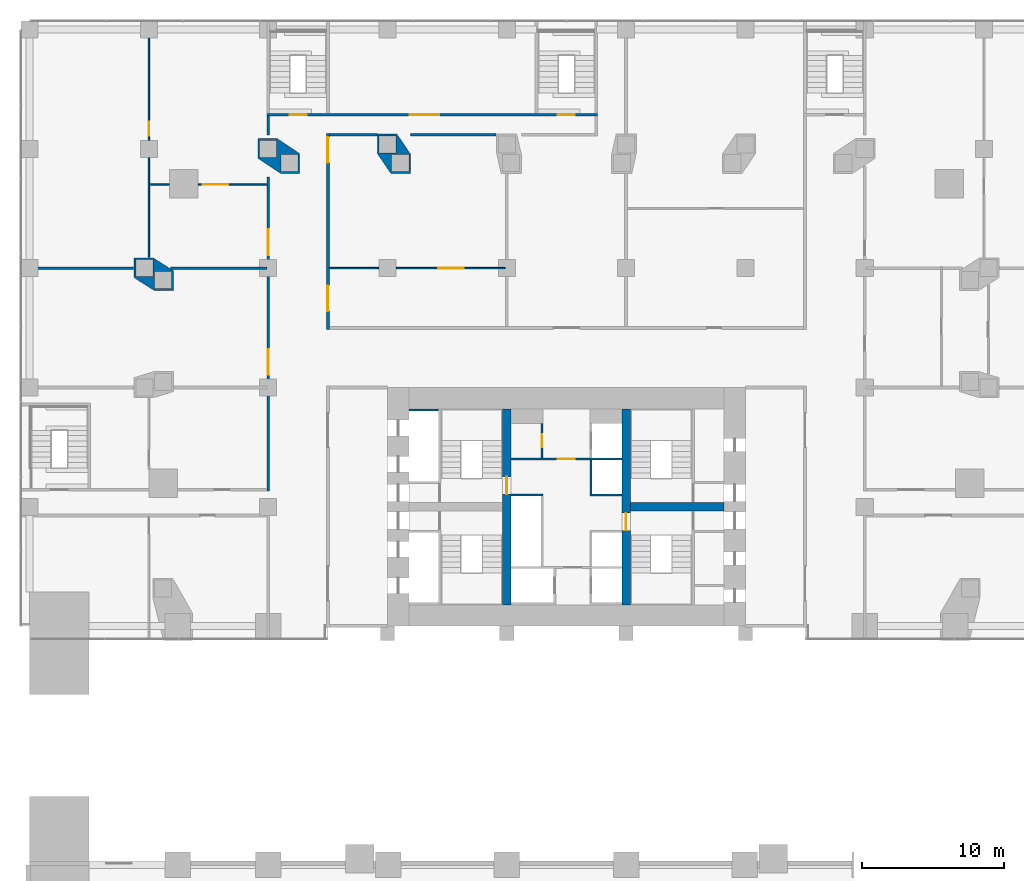
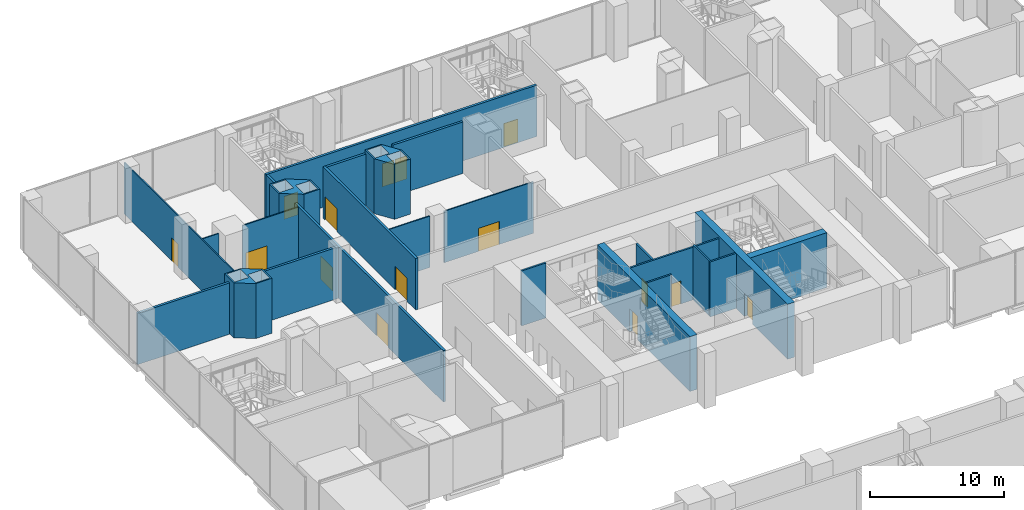
# One storey, part 18 of 28: 25 walls, 15 doors, 15 openings.
"""IFC4 building model written with IfcOpenShell, lengths in metres."""

from ifc_helpers import new_model, si_unit, direction, frame, frame_2d, origin, place, context, subcontext, project, spatial, polyline, rectangle, outline, extrude, material, layer, layer_set, type_object, element, fill, save


model = new_model("IFC4")

# Units and contexts
model_context = context("Model", 3, precision=1e-05, world=origin(), true_north=direction((0.0, 1.0)))
body_context = subcontext(model_context, "Body", "Model", "MODEL_VIEW")
ifc_project = project(units=[si_unit("LENGTHUNIT", "METRE"), si_unit("AREAUNIT", "SQUARE_METRE"), si_unit("VOLUMEUNIT", "CUBIC_METRE"), si_unit("PLANEANGLEUNIT", "RADIAN"), si_unit("MASSUNIT", "GRAM", prefix="KILO")], contexts=[model_context])

# Site, building, storey
site_placement = place(None, origin())
site = spatial("IfcSite", under=ifc_project, at=site_placement, CompositionType="ELEMENT")
building_placement = place(site_placement, origin())
building = spatial("IfcBuilding", under=site, at=building_placement, Name="Marenta Gate Hotel Tower", CompositionType="ELEMENT")
storey_placement = place(building_placement, frame((0.0, 0.0, 26.0)))
storey = spatial("IfcBuildingStorey", under=building, at=storey_placement, Name="L04", CompositionType="ELEMENT", Elevation=26.0)

# Wall, opening, door
ifc_material_1 = material(Name="Concrete blockwork", Category="masonry")
ifc_layer_1 = layer(ifc_material_1, 0.14990234375)
ifc_layer_set_1 = layer_set([ifc_layer_1], Name="Concrete blockwork")
wall_type_1 = type_object("IfcWallType", Name="Core lobby partition 150 REI 180", PredefinedType="PARTITIONING", material=ifc_layer_set_1)
wall_1_placement = place(storey_placement, frame((-3.89990234375, 11.77490234375, 0.0), z_axis=(0.0, 0.0, 1.0), x_axis=(1.0, 0.0, 0.0)))
wall_1 = element("IfcWall", 1, at=wall_1_placement, inside=storey, type_object=wall_type_1, Name="L04-CP-CW-N", PredefinedType="PARTITIONING", context=body_context, shape_type="SweptSolid", body=[
    extrude(rectangle(XDim=7.7998046875, YDim=0.14990234375, at=frame_2d((3.89990234375, 0.0))), origin(), (0.0, 0.0, 1.0), 4.800048828125),
])
opening_1_placement = place(wall_1_placement, frame((3.300048828125, 0.0, 0.0)))
opening_1 = element("IfcOpeningElement", 2, at=opening_1_placement, cuts=wall_1, Name="Opening FD-FFN", PredefinedType="OPENING", context=body_context, shape_type="SweptSolid", body=[
    extrude(rectangle(XDim=1.199951171875, YDim=2.10009765625, at=frame_2d((0.60009765625, 1.050048828125))), frame((0.0, 0.074951171875, 0.0), z_axis=(0.0, -1.0, 0.0), x_axis=(1.0, 0.0, 0.0)), (0.0, 0.0, 1.0), 0.14990234375),
])
ifc_material_2 = material(Name="Steel", Category="steel")
door_type_1 = type_object("IfcDoorType", Name="Core lobby door 1200x2100 FD60", OperationType="SINGLE_SWING_LEFT", PredefinedType="DOOR", material=ifc_material_2)
door_1_placement = place(opening_1_placement, origin())
door_1 = element("IfcDoor", 3, at=door_1_placement, inside=storey, type_object=door_type_1, Name="FD-FFN", OperationType="SINGLE_SWING_LEFT", OverallHeight=2.10009765625, OverallWidth=1.199951171875, PredefinedType="DOOR", context=body_context, shape_type="SweptSolid", body=[
    extrude(rectangle(XDim=1.199951171875, YDim=2.10009765625, at=frame_2d((0.60009765625, 1.050048828125))), frame((0.0, 0.02490234375, 0.0), z_axis=(0.0, -1.0, 0.0), x_axis=(1.0, 0.0, 0.0)), (0.0, 0.0, 1.0), 0.050048828125),
])
fill(opening_1, door_1)

ifc_material_3 = material(Name="Concrete blockwork", Category="masonry")
ifc_layer_2 = layer(ifc_material_3, 0.14990234375)
ifc_layer_set_2 = layer_set([ifc_layer_2], Name="Concrete blockwork")
wall_type_2 = type_object("IfcWallType", Name="Core room partition 150 REI 180", PredefinedType="PARTITIONING", material=ifc_layer_set_2)
wall_2_placement = place(storey_placement, frame((-1.72509765625, 11.85009765625, 0.0), z_axis=(0.0, 0.0, 1.0), x_axis=(0.0, 1.0, 0.0)))
wall_2 = element("IfcWall", 4, at=wall_2_placement, inside=storey, type_object=wall_type_2, Name="L04-CP-CW-W-riser-front", PredefinedType="PARTITIONING", context=body_context, shape_type="SweptSolid", body=[
    extrude(rectangle(XDim=2.39990234375, YDim=0.14990234375, at=frame_2d((1.199951171875, 0.0))), origin(), (0.0, 0.0, 1.0), 4.800048828125),
])
opening_2_placement = place(wall_2_placement, frame((0.75, 0.0, 0.0)))
opening_2 = element("IfcOpeningElement", 5, at=opening_2_placement, cuts=wall_2, Name="Opening RD-CRISER", PredefinedType="OPENING", context=body_context, shape_type="SweptSolid", body=[
    extrude(rectangle(XDim=0.89990234375, YDim=2.10009765625, at=frame_2d((0.449951171875, 1.050048828125))), frame((0.0, 0.074951171875, 0.0), z_axis=(0.0, -1.0, 0.0), x_axis=(1.0, 0.0, 0.0)), (0.0, 0.0, 1.0), 0.14990234375),
])
ifc_material_4 = material(Name="Steel", Category="steel")
door_type_2 = type_object("IfcDoorType", Name="Core riser door 900x2100 FD60", OperationType="SINGLE_SWING_LEFT", PredefinedType="DOOR", material=ifc_material_4)
door_2_placement = place(opening_2_placement, origin())
door_2 = element("IfcDoor", 6, at=door_2_placement, inside=storey, type_object=door_type_2, Name="RD-CRISER", OperationType="SINGLE_SWING_LEFT", OverallHeight=2.10009765625, OverallWidth=0.89990234375, PredefinedType="DOOR", context=body_context, shape_type="SweptSolid", body=[
    extrude(rectangle(XDim=0.89990234375, YDim=2.10009765625, at=frame_2d((0.449951171875, 1.050048828125))), frame((0.0, 0.02490234375, 0.0), z_axis=(0.0, -1.0, 0.0), x_axis=(1.0, 0.0, 0.0)), (0.0, 0.0, 1.0), 0.050048828125),
])
fill(opening_2, door_2)

# Walls
ifc_material_5 = material(Name="Concrete C40", Category="concrete")
ifc_layer_3 = layer(ifc_material_5, 0.14990234375)
ifc_layer_set_3 = layer_set([ifc_layer_3], Name="Concrete C40")
wall_type_3 = type_object("IfcWallType", Name="Core shaft wall 150 REI 180", PredefinedType="SHEAR", material=ifc_layer_set_3)
wall_3_placement = place(storey_placement, frame((-11.10009765625, 15.22509765625, 0.0), z_axis=(0.0, 0.0, 1.0), x_axis=(1.0, 0.0, 0.0)))
element("IfcWall", 7, at=wall_3_placement, inside=storey, type_object=wall_type_3, Name="L04-SHF-SW-WN-5", PredefinedType="SHEAR", context=body_context, shape_type="SweptSolid", body=[
    extrude(rectangle(XDim=2.10009765625, YDim=0.14990234375, at=frame_2d((1.050048828125, 0.0))), origin(), (0.0, 0.0, 1.0), 5.0),
])
for number, where, z_axis, x_axis, name in (
    (8, (-3.89990234375, 9.22509765625, 0.0), (0.0, 0.0, 1.0), (1.0, 0.0, 0.0), "L04-SHF-CW-W-sep"),
    (9, (1.64990234375, 9.22509765625, 0.0), (0.0, 0.0, 1.0), (1.0, 0.0, 0.0), "L04-SHF-CE-sep2"),
):
    element("IfcWall", number, at=place(storey_placement, frame(where, z_axis=z_axis, x_axis=x_axis)), inside=storey, type_object=wall_type_3, Name=name, PredefinedType="SHEAR", context=body_context, shape_type="SweptSolid", body=[
        extrude(rectangle(XDim=2.25, YDim=0.14990234375, at=frame_2d((1.125, 0.0))), origin(), (0.0, 0.0, 1.0), 5.0),
    ])
wall_4_placement = place(storey_placement, frame((1.72509765625, 9.300048828125, 0.0), z_axis=(0.0, 0.0, 1.0), x_axis=(0.0, 1.0, 0.0)))
element("IfcWall", 10, at=wall_4_placement, inside=storey, type_object=wall_type_3, Name="L04-SHF-CE-front-2", PredefinedType="SHEAR", context=body_context, shape_type="SweptSolid", body=[
    extrude(rectangle(XDim=2.39990234375, YDim=0.14990234375, at=frame_2d((1.199951171875, 0.0))), origin(), (0.0, 0.0, 1.0), 5.0),
])

# Wall, opening, door
ifc_material_6 = material(Name="Concrete C80", Category="concrete")
ifc_layer_4 = layer(ifc_material_6, 0.60009765625)
ifc_layer_set_4 = layer_set([ifc_layer_4], Name="Concrete C80")
wall_type_4 = type_object("IfcWallType", Name="Core web 600 C80", PredefinedType="SHEAR", material=ifc_layer_set_4)
wall_5_placement = place(storey_placement, frame((-4.199951171875, 1.5, 0.0), z_axis=(0.0, 0.0, 1.0), x_axis=(0.0, 1.0, 0.0)))
wall_5 = element("IfcWall", 11, at=wall_5_placement, inside=storey, type_object=wall_type_4, Name="L04-CORE-W1", PredefinedType="SHEAR", context=body_context, shape_type="SweptSolid", body=[
    extrude(rectangle(XDim=13.800048828125, YDim=0.60009765625, at=frame_2d((6.89990234375, 0.0))), origin(), (0.0, 0.0, 1.0), 5.0),
])
opening_3_placement = place(wall_5_placement, frame((7.800048828125, 0.0, 0.0)))
opening_3 = element("IfcOpeningElement", 12, at=opening_3_placement, cuts=wall_5, Name="Opening WD-W", PredefinedType="OPENING", context=body_context, shape_type="SweptSolid", body=[
    extrude(rectangle(XDim=1.199951171875, YDim=2.10009765625, at=frame_2d((0.60009765625, 1.050048828125))), frame((0.0, 0.300048828125, 0.0), z_axis=(0.0, -1.0, 0.0), x_axis=(1.0, 0.0, 0.0)), (0.0, 0.0, 1.0), 0.60009765625),
])
ifc_material_7 = material(Name="Steel", Category="steel")
door_type_3 = type_object("IfcDoorType", Name="Core stair door 1200x2100 FD60", OperationType="SINGLE_SWING_LEFT", PredefinedType="DOOR", material=ifc_material_7)
door_3_placement = place(opening_3_placement, origin())
door_3 = element("IfcDoor", 13, at=door_3_placement, inside=storey, type_object=door_type_3, Name="WD-W", OperationType="SINGLE_SWING_LEFT", OverallHeight=2.10009765625, OverallWidth=1.199951171875, PredefinedType="DOOR", context=body_context, shape_type="SweptSolid", body=[
    extrude(rectangle(XDim=1.199951171875, YDim=2.10009765625, at=frame_2d((0.60009765625, 1.050048828125))), frame((0.0, 0.02490234375, 0.0), z_axis=(0.0, -1.0, 0.0), x_axis=(1.0, 0.0, 0.0)), (0.0, 0.0, 1.0), 0.050048828125),
])
fill(opening_3, door_3)

wall_6_placement = place(storey_placement, frame((4.199951171875, 1.5, 0.0), z_axis=(0.0, 0.0, 1.0), x_axis=(0.0, 1.0, 0.0)))
wall_6 = element("IfcWall", 14, at=wall_6_placement, inside=storey, type_object=wall_type_4, Name="L04-CORE-W2", PredefinedType="SHEAR", context=body_context, shape_type="SweptSolid", body=[
    extrude(rectangle(XDim=13.800048828125, YDim=0.60009765625, at=frame_2d((6.89990234375, 0.0))), origin(), (0.0, 0.0, 1.0), 5.0),
])
opening_4_placement = place(wall_6_placement, frame((5.25, 0.0, 0.0)))
opening_4 = element("IfcOpeningElement", 15, at=opening_4_placement, cuts=wall_6, Name="Opening WD-E", PredefinedType="OPENING", context=body_context, shape_type="SweptSolid", body=[
    extrude(rectangle(XDim=1.199951171875, YDim=2.10009765625, at=frame_2d((0.60009765625, 1.050048828125))), frame((0.0, 0.300048828125, 0.0), z_axis=(0.0, -1.0, 0.0), x_axis=(1.0, 0.0, 0.0)), (0.0, 0.0, 1.0), 0.60009765625),
])
door_4_placement = place(opening_4_placement, origin())
door_4 = element("IfcDoor", 16, at=door_4_placement, inside=storey, type_object=door_type_3, Name="WD-E", OperationType="SINGLE_SWING_LEFT", OverallHeight=2.10009765625, OverallWidth=1.199951171875, PredefinedType="DOOR", context=body_context, shape_type="SweptSolid", body=[
    extrude(rectangle(XDim=1.199951171875, YDim=2.10009765625, at=frame_2d((0.60009765625, 1.050048828125))), frame((0.0, 0.02490234375, 0.0), z_axis=(0.0, -1.0, 0.0), x_axis=(1.0, 0.0, 0.0)), (0.0, 0.0, 1.0), 0.050048828125),
])
fill(opening_4, door_4)

# Walls
wall_7_placement = place(storey_placement, frame((4.5, 8.39990234375, 0.0), z_axis=(0.0, 0.0, 1.0), x_axis=(1.0, 0.0, 0.0)))
element("IfcWall", 17, at=wall_7_placement, inside=storey, type_object=wall_type_4, Name="L04-CORE-W4", PredefinedType="SHEAR", context=body_context, shape_type="SweptSolid", body=[
    extrude(rectangle(XDim=6.60009765625, YDim=0.60009765625, at=frame_2d((3.300048828125, 0.0))), origin(), (0.0, 0.0, 1.0), 5.0),
])
ifc_material_8 = material(Name="Concrete C70", Category="concrete")
ifc_layer_5 = layer(ifc_material_8, 1.60009765625)
ifc_layer_set_5 = layer_set([ifc_layer_5], Name="Concrete C70")
wall_type_5 = type_object("IfcWallType", Name="Pier wall board-marked concrete C70", PredefinedType="SOLIDWALL", material=ifc_layer_set_5)
wall_8_placement = place(storey_placement, origin())
element("IfcWall", 18, at=wall_8_placement, inside=storey, type_object=wall_type_5, Name="L04-PIER-3", PredefinedType="SOLIDWALL", context=body_context, shape_type="SweptSolid", body=[
    extrude(outline(polyline([(-30.43994140625, 24.5341796875), (-30.43994140625, 25.919921875), (-29.0849609375, 25.919921875), (-27.679931640625, 25.022216796875), (-27.679931640625, 23.636474609375), (-29.03515625, 23.636474609375), (-30.43994140625, 24.5341796875)]), holes=[polyline([(-29.0, 23.75634765625), (-27.800048828125, 23.75634765625), (-27.800048828125, 24.956298828125), (-29.0, 24.956298828125), (-29.0, 23.75634765625)]), polyline([(-30.320068359375, 24.60009765625), (-29.1201171875, 24.60009765625), (-29.1201171875, 25.800048828125), (-30.320068359375, 25.800048828125), (-30.320068359375, 24.60009765625)])]), origin(), (0.0, 0.0, 1.0), 5.0),
])
wall_9_placement = place(storey_placement, origin())
element("IfcWall", 19, at=wall_9_placement, inside=storey, type_object=wall_type_5, Name="L04-PIER-4", PredefinedType="SOLIDWALL", context=body_context, shape_type="SweptSolid", body=[
    extrude(outline(polyline([(-21.719970703125, 34.320068359375), (-20.363525390625, 34.320068359375), (-18.786865234375, 33.26416015625), (-18.786865234375, 31.8798828125), (-20.143310546875, 31.8798828125), (-21.719970703125, 32.93603515625), (-21.719970703125, 34.320068359375)]), holes=[polyline([(-18.906982421875, 32.0), (-18.906982421875, 33.199951171875), (-20.10693359375, 33.199951171875), (-20.10693359375, 32.0), (-18.906982421875, 32.0)]), polyline([(-20.39990234375, 33.0), (-20.39990234375, 34.199951171875), (-21.60009765625, 34.199951171875), (-21.60009765625, 33.0), (-20.39990234375, 33.0)])]), origin(), (0.0, 0.0, 1.0), 5.0),
])
wall_10_placement = place(storey_placement, origin())
element("IfcWall", 20, at=wall_10_placement, inside=storey, type_object=wall_type_5, Name="L04-PIER-5", PredefinedType="SOLIDWALL", context=body_context, shape_type="SweptSolid", body=[
    extrude(outline(polyline([(-13.320068359375, 34.639892578125), (-11.9365234375, 34.639892578125), (-10.984130859375, 33.23681640625), (-10.984130859375, 31.8798828125), (-12.36767578125, 31.8798828125), (-13.320068359375, 33.283203125), (-13.320068359375, 34.639892578125)]), holes=[polyline([(-11.10400390625, 32.0), (-11.10400390625, 33.199951171875), (-12.30419921875, 33.199951171875), (-12.30419921875, 32.0), (-11.10400390625, 32.0)]), polyline([(-12.0, 33.320068359375), (-12.0, 34.52001953125), (-13.199951171875, 34.52001953125), (-13.199951171875, 33.320068359375), (-12.0, 33.320068359375)])]), origin(), (0.0, 0.0, 1.0), 5.0),
])

# Wall, openings, doors
ifc_material_9 = material(Name="Gypsum board on steel stud", Category="steel")
ifc_layer_6 = layer(ifc_material_9, 0.199951171875)
ifc_layer_set_6 = layer_set([ifc_layer_6], Name="Gypsum board on steel stud")
wall_type_6 = type_object("IfcWallType", Name="Room corridor wall 200 EI 60", PredefinedType="PARTITIONING", material=ifc_layer_set_6)
wall_11_placement = place(storey_placement, frame((-16.800048828125, 20.89990234375, 0.0), z_axis=(0.0, 0.0, 1.0), x_axis=(0.0, 1.0, 0.0)))
wall_11 = element("IfcWall", 21, at=wall_11_placement, inside=storey, type_object=wall_type_6, Name="L04-PTN-W039", PredefinedType="PARTITIONING", context=body_context, shape_type="SweptSolid", body=[
    extrude(rectangle(XDim=13.800048828125, YDim=0.199951171875, at=frame_2d((6.89990234375, 0.0))), origin(), (0.0, 0.0, 1.0), 4.679931640625),
])
opening_5_placement = place(wall_11_placement, frame((11.72509765625, 0.0, 0.0)))
opening_5 = element("IfcOpeningElement", 22, at=opening_5_placement, cuts=wall_11, Name="Opening S05-18", PredefinedType="OPENING", context=body_context, shape_type="SweptSolid", body=[
    extrude(rectangle(XDim=1.800048828125, YDim=2.10009765625, at=frame_2d((0.89990234375, 1.050048828125))), frame((0.0, 0.10009765625, 0.0), z_axis=(0.0, -1.0, 0.0), x_axis=(1.0, 0.0, 0.0)), (0.0, 0.0, 1.0), 0.199951171875),
])
opening_6_placement = place(wall_11_placement, frame((1.27490234375, 0.0, 0.0)))
opening_6 = element("IfcOpeningElement", 23, at=opening_6_placement, cuts=wall_11, Name="Opening S05-19", PredefinedType="OPENING", context=body_context, shape_type="SweptSolid", body=[
    extrude(rectangle(XDim=1.800048828125, YDim=2.10009765625, at=frame_2d((0.89990234375, 1.050048828125))), frame((0.0, 0.10009765625, 0.0), z_axis=(0.0, -1.0, 0.0), x_axis=(1.0, 0.0, 0.0)), (0.0, 0.0, 1.0), 0.199951171875),
])
ifc_material_10 = material(Name="Timber door leaf", Category="wood")
door_type_4 = type_object("IfcDoorType", Name="Room amenity door 1800x2100 EI 30", OperationType="DOUBLE_DOOR_SINGLE_SWING", PredefinedType="DOOR", material=ifc_material_10)
door_5_placement = place(opening_5_placement, origin())
door_5 = element("IfcDoor", 24, at=door_5_placement, inside=storey, type_object=door_type_4, Name="L04-PD-D018", OperationType="DOUBLE_DOOR_SINGLE_SWING", OverallHeight=2.10009765625, OverallWidth=1.800048828125, PredefinedType="DOOR", context=body_context, shape_type="SweptSolid", body=[
    extrude(rectangle(XDim=1.800048828125, YDim=2.10009765625, at=frame_2d((0.89990234375, 1.050048828125))), frame((0.0, 0.02490234375, 0.0), z_axis=(0.0, -1.0, 0.0), x_axis=(1.0, 0.0, 0.0)), (0.0, 0.0, 1.0), 0.050048828125),
])
fill(opening_5, door_5)
door_6_placement = place(opening_6_placement, origin())
door_6 = element("IfcDoor", 25, at=door_6_placement, inside=storey, type_object=door_type_4, Name="L04-PD-D019", OperationType="DOUBLE_DOOR_SINGLE_SWING", OverallHeight=2.10009765625, OverallWidth=1.800048828125, PredefinedType="DOOR", context=body_context, shape_type="SweptSolid", body=[
    extrude(rectangle(XDim=1.800048828125, YDim=2.10009765625, at=frame_2d((0.89990234375, 1.050048828125))), frame((0.0, 0.02490234375, 0.0), z_axis=(0.0, -1.0, 0.0), x_axis=(1.0, 0.0, 0.0)), (0.0, 0.0, 1.0), 0.050048828125),
])
fill(opening_6, door_6)

wall_12_placement = place(storey_placement, frame((-21.0, 9.5, 0.0), z_axis=(0.0, 0.0, 1.0), x_axis=(0.0, 1.0, 0.0)))
wall_12 = element("IfcWall", 26, at=wall_12_placement, inside=storey, type_object=wall_type_6, Name="L04-PTN-W046", PredefinedType="PARTITIONING", context=body_context, shape_type="SweptSolid", body=[
    extrude(rectangle(XDim=22.133056640625, YDim=0.199951171875, at=frame_2d((11.06640625, 0.0))), origin(), (0.0, 0.0, 1.0), 4.679931640625),
])
opening_7_placement = place(wall_12_placement, frame((8.199951171875, 0.0, 0.0)))
opening_7 = element("IfcOpeningElement", 27, at=opening_7_placement, cuts=wall_12, Name="Opening S05-07", PredefinedType="OPENING", context=body_context, shape_type="SweptSolid", body=[
    extrude(rectangle(XDim=1.800048828125, YDim=2.10009765625, at=frame_2d((0.89990234375, 1.050048828125))), frame((0.0, 0.10009765625, 0.0), z_axis=(0.0, -1.0, 0.0), x_axis=(1.0, 0.0, 0.0)), (0.0, 0.0, 1.0), 0.199951171875),
])
opening_8_placement = place(wall_12_placement, frame((16.625, 0.0, 0.0)))
opening_8 = element("IfcOpeningElement", 28, at=opening_8_placement, cuts=wall_12, Name="Opening S05-08", PredefinedType="OPENING", context=body_context, shape_type="SweptSolid", body=[
    extrude(rectangle(XDim=1.800048828125, YDim=2.10009765625, at=frame_2d((0.89990234375, 1.050048828125))), frame((0.0, 0.10009765625, 0.0), z_axis=(0.0, -1.0, 0.0), x_axis=(1.0, 0.0, 0.0)), (0.0, 0.0, 1.0), 0.199951171875),
])
door_7_placement = place(opening_7_placement, origin())
door_7 = element("IfcDoor", 29, at=door_7_placement, inside=storey, type_object=door_type_4, Name="L04-PD-D007", OperationType="DOUBLE_DOOR_SINGLE_SWING", OverallHeight=2.10009765625, OverallWidth=1.800048828125, PredefinedType="DOOR", context=body_context, shape_type="SweptSolid", body=[
    extrude(rectangle(XDim=1.800048828125, YDim=2.10009765625, at=frame_2d((0.89990234375, 1.050048828125))), frame((0.0, 0.02490234375, 0.0), z_axis=(0.0, -1.0, 0.0), x_axis=(1.0, 0.0, 0.0)), (0.0, 0.0, 1.0), 0.050048828125),
])
fill(opening_7, door_7)
door_8_placement = place(opening_8_placement, origin())
door_8 = element("IfcDoor", 30, at=door_8_placement, inside=storey, type_object=door_type_4, Name="L04-PD-D008", OperationType="DOUBLE_DOOR_SINGLE_SWING", OverallHeight=2.10009765625, OverallWidth=1.800048828125, PredefinedType="DOOR", context=body_context, shape_type="SweptSolid", body=[
    extrude(rectangle(XDim=1.800048828125, YDim=2.10009765625, at=frame_2d((0.89990234375, 1.050048828125))), frame((0.0, 0.02490234375, 0.0), z_axis=(0.0, -1.0, 0.0), x_axis=(1.0, 0.0, 0.0)), (0.0, 0.0, 1.0), 0.050048828125),
])
fill(opening_8, door_8)

# Walls
wall_13_placement = place(storey_placement, frame((-21.0, 34.56689453125, 0.0), z_axis=(0.0, 0.0, 1.0), x_axis=(0.0, 1.0, 0.0)))
element("IfcWall", 31, at=wall_13_placement, inside=storey, type_object=wall_type_6, Name="L04-PTN-W047", PredefinedType="PARTITIONING", context=body_context, shape_type="SweptSolid", body=[
    extrude(rectangle(XDim=1.3330078125, YDim=0.199951171875, at=frame_2d((0.66650390625, 0.0))), origin(), (0.0, 0.0, 1.0), 4.679931640625),
])
ifc_material_11 = material(Name="Concrete blockwork", Category="masonry")
ifc_layer_7 = layer(ifc_material_11, 0.199951171875)
ifc_layer_set_7 = layer_set([ifc_layer_7], Name="Concrete blockwork")
wall_type_7 = type_object("IfcWallType", Name="Room corridor wall 200 REI 180", PredefinedType="PARTITIONING", material=ifc_layer_set_7)
wall_14_placement = place(storey_placement, frame((-16.699951171875, 34.60009765625, 0.0), z_axis=(0.0, 0.0, 1.0), x_axis=(1.0, 0.0, 0.0)))
element("IfcWall", 32, at=wall_14_placement, inside=storey, type_object=wall_type_7, Name="L04-PTN-W067", PredefinedType="PARTITIONING", context=body_context, shape_type="SweptSolid", body=[
    extrude(rectangle(XDim=3.3798828125, YDim=0.199951171875, at=frame_2d((1.68994140625, 0.0))), origin(), (0.0, 0.0, 1.0), 4.679931640625),
])
wall_15_placement = place(storey_placement, frame((-10.98388671875, 34.60009765625, 0.0), z_axis=(0.0, 0.0, 1.0), x_axis=(1.0, 0.0, 0.0)))
element("IfcWall", 33, at=wall_15_placement, inside=storey, type_object=wall_type_7, Name="L04-PTN-W068", PredefinedType="PARTITIONING", context=body_context, shape_type="SweptSolid", body=[
    extrude(rectangle(XDim=6.013916015625, YDim=0.199951171875, at=frame_2d((3.0068359375, 0.0))), origin(), (0.0, 0.0, 1.0), 4.679931640625),
])

# Wall, openings, doors
wall_16_placement = place(storey_placement, frame((-21.10009765625, 36.0, 0.0), z_axis=(0.0, 0.0, 1.0), x_axis=(1.0, 0.0, 0.0)))
wall_16 = element("IfcWall", 34, at=wall_16_placement, inside=storey, type_object=wall_type_7, Name="L04-PTN-W070", PredefinedType="PARTITIONING", context=body_context, shape_type="SweptSolid", body=[
    extrude(rectangle(XDim=23.300048828125, YDim=0.199951171875, at=frame_2d((11.64990234375, 0.0))), origin(), (0.0, 0.0, 1.0), 4.679931640625),
])
opening_9_placement = place(wall_16_placement, frame((1.60009765625, 0.0, 0.0)))
opening_9 = element("IfcOpeningElement", 35, at=opening_9_placement, cuts=wall_16, Name="Opening S05-01", PredefinedType="OPENING", context=body_context, shape_type="SweptSolid", body=[
    extrude(rectangle(XDim=1.199951171875, YDim=2.10009765625, at=frame_2d((0.60009765625, 1.050048828125))), frame((0.0, 0.10009765625, 0.0), z_axis=(0.0, -1.0, 0.0), x_axis=(1.0, 0.0, 0.0)), (0.0, 0.0, 1.0), 0.199951171875),
])
opening_10_placement = place(wall_16_placement, frame((11.14990234375, 0.0, 0.0)))
opening_10 = element("IfcOpeningElement", 36, at=opening_10_placement, cuts=wall_16, Name="Opening S05-20", PredefinedType="OPENING", context=body_context, shape_type="SweptSolid", body=[
    extrude(rectangle(XDim=1.0, YDim=2.10009765625, at=frame_2d((0.5, 1.050048828125))), frame((0.0, 0.10009765625, 0.0), z_axis=(0.0, -1.0, 0.0), x_axis=(1.0, 0.0, 0.0)), (0.0, 0.0, 1.0), 0.199951171875),
])
opening_11_placement = place(wall_16_placement, frame((10.050048828125, 0.0, 0.0)))
opening_11 = element("IfcOpeningElement", 37, at=opening_11_placement, cuts=wall_16, Name="Opening S05-21", PredefinedType="OPENING", context=body_context, shape_type="SweptSolid", body=[
    extrude(rectangle(XDim=1.0, YDim=2.10009765625, at=frame_2d((0.5, 1.050048828125))), frame((0.0, 0.10009765625, 0.0), z_axis=(0.0, -1.0, 0.0), x_axis=(1.0, 0.0, 0.0)), (0.0, 0.0, 1.0), 0.199951171875),
])
opening_12_placement = place(wall_16_placement, frame((20.5, 0.0, 0.0)))
opening_12 = element("IfcOpeningElement", 38, at=opening_12_placement, cuts=wall_16, Name="Opening S05-36", PredefinedType="OPENING", context=body_context, shape_type="SweptSolid", body=[
    extrude(rectangle(XDim=1.199951171875, YDim=2.10009765625, at=frame_2d((0.60009765625, 1.050048828125))), frame((0.0, 0.10009765625, 0.0), z_axis=(0.0, -1.0, 0.0), x_axis=(1.0, 0.0, 0.0)), (0.0, 0.0, 1.0), 0.199951171875),
])
ifc_material_12 = material(Name="Hollow steel door set", Category="steel")
door_type_5 = type_object("IfcDoorType", Name="Podium stair door 1200x2100 EI 60", OperationType="NOTDEFINED", PredefinedType="DOOR", material=ifc_material_12)
door_9_placement = place(opening_9_placement, origin())
door_9 = element("IfcDoor", 39, at=door_9_placement, inside=storey, type_object=door_type_5, Name="L04-PD-D001", OperationType="SINGLE_SWING_RIGHT", OverallHeight=2.10009765625, OverallWidth=1.199951171875, PredefinedType="DOOR", context=body_context, shape_type="SweptSolid", body=[
    extrude(rectangle(XDim=1.199951171875, YDim=2.10009765625, at=frame_2d((0.60009765625, 1.050048828125))), frame((0.0, 0.02490234375, 0.0), z_axis=(0.0, -1.0, 0.0), x_axis=(1.0, 0.0, 0.0)), (0.0, 0.0, 1.0), 0.050048828125),
])
fill(opening_9, door_9)
door_10_placement = place(opening_12_placement, origin())
door_10 = element("IfcDoor", 40, at=door_10_placement, inside=storey, type_object=door_type_5, Name="L04-PD-D036", OperationType="SINGLE_SWING_RIGHT", OverallHeight=2.10009765625, OverallWidth=1.199951171875, PredefinedType="DOOR", context=body_context, shape_type="SweptSolid", body=[
    extrude(rectangle(XDim=1.199951171875, YDim=2.10009765625, at=frame_2d((0.60009765625, 1.050048828125))), frame((0.0, 0.02490234375, 0.0), z_axis=(0.0, -1.0, 0.0), x_axis=(1.0, 0.0, 0.0)), (0.0, 0.0, 1.0), 0.050048828125),
])
fill(opening_12, door_10)
ifc_material_13 = material(Name="Timber door leaf", Category="wood")
door_type_6 = type_object("IfcDoorType", Name="Room amenity door 1000x2100 EI 60", OperationType="NOTDEFINED", PredefinedType="DOOR", material=ifc_material_13)
door_11_placement = place(opening_11_placement, origin())
door_11 = element("IfcDoor", 41, at=door_11_placement, inside=storey, type_object=door_type_6, Name="L04-PD-D021", OperationType="SINGLE_SWING_LEFT", OverallHeight=2.10009765625, OverallWidth=1.0, PredefinedType="DOOR", context=body_context, shape_type="SweptSolid", body=[
    extrude(rectangle(XDim=1.0, YDim=2.10009765625, at=frame_2d((0.5, 1.050048828125))), frame((0.0, 0.02490234375, 0.0), z_axis=(0.0, -1.0, 0.0), x_axis=(1.0, 0.0, 0.0)), (0.0, 0.0, 1.0), 0.050048828125),
])
fill(opening_11, door_11)
ifc_material_14 = material(Name="Timber door leaf", Category="wood")
door_type_7 = type_object("IfcDoorType", Name="Room inner door 1000x2100 EI 60", OperationType="NOTDEFINED", PredefinedType="DOOR", material=ifc_material_14)
door_12_placement = place(opening_10_placement, origin())
door_12 = element("IfcDoor", 42, at=door_12_placement, inside=storey, type_object=door_type_7, Name="L04-PD-D020", OperationType="SINGLE_SWING_LEFT", OverallHeight=2.10009765625, OverallWidth=1.0, PredefinedType="DOOR", context=body_context, shape_type="SweptSolid", body=[
    extrude(rectangle(XDim=1.0, YDim=2.10009765625, at=frame_2d((0.5, 1.050048828125))), frame((0.0, 0.02490234375, 0.0), z_axis=(0.0, -1.0, 0.0), x_axis=(1.0, 0.0, 0.0)), (0.0, 0.0, 1.0), 0.050048828125),
])
fill(opening_10, door_12)

# Wall
ifc_material_15 = material(Name="Gypsum board on steel stud", Category="steel")
ifc_layer_8 = layer(ifc_material_15, 0.10009765625)
ifc_layer_set_8 = layer_set([ifc_layer_8], Name="Gypsum board on steel stud")
wall_type_8 = type_object("IfcWallType", Name="Room partition 100", PredefinedType="PARTITIONING", material=ifc_layer_set_8)
wall_17_placement = place(storey_placement, frame((-16.699951171875, 25.199951171875, 0.0), z_axis=(0.0, 0.0, 1.0), x_axis=(1.0, 0.0, 0.0)))
element("IfcWall", 43, at=wall_17_placement, inside=storey, type_object=wall_type_8, Name="L04-PTN-W054", PredefinedType="PARTITIONING", context=body_context, shape_type="SweptSolid", body=[
    extrude(rectangle(XDim=3.47998046875, YDim=0.10009765625, at=frame_2d((1.739990234375, 0.0))), origin(), (0.0, 0.0, 1.0), 4.679931640625),
])

# Wall, opening, door
wall_18_placement = place(storey_placement, frame((-11.97998046875, 25.199951171875, 0.0), z_axis=(0.0, 0.0, 1.0), x_axis=(1.0, 0.0, 0.0)))
wall_18 = element("IfcWall", 44, at=wall_18_placement, inside=storey, type_object=wall_type_8, Name="L04-PTN-W055", PredefinedType="PARTITIONING", context=body_context, shape_type="SweptSolid", body=[
    extrude(rectangle(XDim=7.679931640625, YDim=0.10009765625, at=frame_2d((3.83984375, 0.0))), origin(), (0.0, 0.0, 1.0), 4.679931640625),
])
opening_13_placement = place(wall_18_placement, frame((2.93994140625, 0.0, 0.0)))
opening_13 = element("IfcOpeningElement", 45, at=opening_13_placement, cuts=wall_18, Name="Opening S05-38", PredefinedType="OPENING", context=body_context, shape_type="SweptSolid", body=[
    extrude(rectangle(XDim=1.800048828125, YDim=2.10009765625, at=frame_2d((0.89990234375, 1.050048828125))), frame((0.0, 0.050048828125, 0.0), z_axis=(0.0, -1.0, 0.0), x_axis=(1.0, 0.0, 0.0)), (0.0, 0.0, 1.0), 0.10009765625),
])
ifc_material_16 = material(Name="Timber door leaf", Category="wood")
door_type_8 = type_object("IfcDoorType", Name="Room amenity door 1800x2100", OperationType="DOUBLE_DOOR_SINGLE_SWING", PredefinedType="DOOR", material=ifc_material_16)
door_13_placement = place(opening_13_placement, origin())
door_13 = element("IfcDoor", 46, at=door_13_placement, inside=storey, type_object=door_type_8, Name="L04-PD-D038", OperationType="DOUBLE_DOOR_SINGLE_SWING", OverallHeight=2.10009765625, OverallWidth=1.800048828125, PredefinedType="DOOR", context=body_context, shape_type="SweptSolid", body=[
    extrude(rectangle(XDim=1.800048828125, YDim=2.10009765625, at=frame_2d((0.89990234375, 1.050048828125))), frame((0.0, 0.02490234375, 0.0), z_axis=(0.0, -1.0, 0.0), x_axis=(1.0, 0.0, 0.0)), (0.0, 0.0, 1.0), 0.050048828125),
])
fill(opening_13, door_13)

wall_19_placement = place(storey_placement, frame((-29.39990234375, 25.969970703125, 0.0), z_axis=(0.0, 0.0, 1.0), x_axis=(0.0, 1.0, 0.0)))
wall_19 = element("IfcWall", 47, at=wall_19_placement, inside=storey, type_object=wall_type_8, Name="L04-PTN-W058", PredefinedType="PARTITIONING", context=body_context, shape_type="SweptSolid", body=[
    extrude(rectangle(XDim=16.614013671875, YDim=0.10009765625, at=frame_2d((8.30712890625, 0.0))), origin(), (0.0, 0.0, 1.0), 4.679931640625),
])
opening_14_placement = place(wall_19_placement, frame((8.554931640625, 0.0, 0.0)))
opening_14 = element("IfcOpeningElement", 48, at=opening_14_placement, cuts=wall_19, Name="Opening S05-09", PredefinedType="OPENING", context=body_context, shape_type="SweptSolid", body=[
    extrude(rectangle(XDim=1.0, YDim=2.10009765625, at=frame_2d((0.5, 1.050048828125))), frame((0.0, 0.050048828125, 0.0), z_axis=(0.0, -1.0, 0.0), x_axis=(1.0, 0.0, 0.0)), (0.0, 0.0, 1.0), 0.10009765625),
])
ifc_material_17 = material(Name="Hollow steel door set", Category="steel")
door_type_9 = type_object("IfcDoorType", Name="Room service door 1000x2100", OperationType="NOTDEFINED", PredefinedType="DOOR", material=ifc_material_17)
door_14_placement = place(opening_14_placement, origin())
door_14 = element("IfcDoor", 49, at=door_14_placement, inside=storey, type_object=door_type_9, Name="L04-PD-D009", OperationType="SINGLE_SWING_LEFT", OverallHeight=2.10009765625, OverallWidth=1.0, PredefinedType="DOOR", context=body_context, shape_type="SweptSolid", body=[
    extrude(rectangle(XDim=1.0, YDim=2.10009765625, at=frame_2d((0.5, 1.050048828125))), frame((0.0, 0.02490234375, 0.0), z_axis=(0.0, -1.0, 0.0), x_axis=(1.0, 0.0, 0.0)), (0.0, 0.0, 1.0), 0.050048828125),
])
fill(opening_14, door_14)

# Wall
wall_20_placement = place(storey_placement, frame((-29.35009765625, 31.10009765625, 0.0), z_axis=(0.0, 0.0, 1.0), x_axis=(1.0, 0.0, 0.0)))
element("IfcWall", 50, at=wall_20_placement, inside=storey, type_object=wall_type_8, Name="L04-PTN-W060", PredefinedType="PARTITIONING", context=body_context, shape_type="SweptSolid", body=[
    extrude(rectangle(XDim=1.39404296875, YDim=0.10009765625, at=frame_2d((0.697021484375, 0.0))), origin(), (0.0, 0.0, 1.0), 4.679931640625),
])

# Wall, opening, door
wall_21_placement = place(storey_placement, frame((-25.916015625, 31.10009765625, 0.0), z_axis=(0.0, 0.0, 1.0), x_axis=(1.0, 0.0, 0.0)))
wall_21 = element("IfcWall", 51, at=wall_21_placement, inside=storey, type_object=wall_type_8, Name="L04-PTN-W061", PredefinedType="PARTITIONING", context=body_context, shape_type="SweptSolid", body=[
    extrude(rectangle(XDim=4.81591796875, YDim=0.10009765625, at=frame_2d((2.407958984375, 0.0))), origin(), (0.0, 0.0, 1.0), 4.679931640625),
])
opening_15_placement = place(wall_21_placement, frame((0.30810546875, 0.0, 0.0)))
opening_15 = element("IfcOpeningElement", 52, at=opening_15_placement, cuts=wall_21, Name="Opening S05-37", PredefinedType="OPENING", context=body_context, shape_type="SweptSolid", body=[
    extrude(rectangle(XDim=1.800048828125, YDim=2.10009765625, at=frame_2d((0.89990234375, 1.050048828125))), frame((0.0, 0.050048828125, 0.0), z_axis=(0.0, -1.0, 0.0), x_axis=(1.0, 0.0, 0.0)), (0.0, 0.0, 1.0), 0.10009765625),
])
door_15_placement = place(opening_15_placement, origin())
door_15 = element("IfcDoor", 53, at=door_15_placement, inside=storey, type_object=door_type_8, Name="L04-PD-D037", OperationType="DOUBLE_DOOR_SINGLE_SWING", OverallHeight=2.10009765625, OverallWidth=1.800048828125, PredefinedType="DOOR", context=body_context, shape_type="SweptSolid", body=[
    extrude(rectangle(XDim=1.800048828125, YDim=2.10009765625, at=frame_2d((0.89990234375, 1.050048828125))), frame((0.0, 0.02490234375, 0.0), z_axis=(0.0, -1.0, 0.0), x_axis=(1.0, 0.0, 0.0)), (0.0, 0.0, 1.0), 0.050048828125),
])
fill(opening_15, door_15)

# Walls
ifc_material_18 = material(Name="Concrete blockwork", Category="masonry")
ifc_layer_9 = layer(ifc_material_18, 0.199951171875)
ifc_layer_set_9 = layer_set([ifc_layer_9], Name="Concrete blockwork")
wall_type_9 = type_object("IfcWallType", Name="Room party wall 200 EI 120", PredefinedType="PARTITIONING", material=ifc_layer_set_9)
wall_22_placement = place(storey_placement, frame((-38.384033203125, 25.199951171875, 0.0), z_axis=(0.0, 0.0, 1.0), x_axis=(1.0, 0.0, 0.0)))
element("IfcWall", 54, at=wall_22_placement, inside=storey, type_object=wall_type_9, Name="L04-PTN-W050", PredefinedType="PARTITIONING", context=body_context, shape_type="SweptSolid", body=[
    extrude(rectangle(XDim=7.89404296875, YDim=0.199951171875, at=frame_2d((3.947021484375, 0.0))), origin(), (0.0, 0.0, 1.0), 4.679931640625),
])
ifc_material_19 = material(Name="Gypsum board on steel stud", Category="steel")
ifc_layer_10 = layer(ifc_material_19, 0.199951171875)
ifc_layer_set_10 = layer_set([ifc_layer_10], Name="Gypsum board on steel stud")
wall_type_10 = type_object("IfcWallType", Name="Room party wall 200 EI 60", PredefinedType="PARTITIONING", material=ifc_layer_set_10)
wall_23_placement = place(storey_placement, frame((-27.864990234375, 25.199951171875, 0.0), z_axis=(0.0, 0.0, 1.0), x_axis=(1.0, 0.0, 0.0)))
element("IfcWall", 55, at=wall_23_placement, inside=storey, type_object=wall_type_10, Name="L04-PTN-W051", PredefinedType="PARTITIONING", context=body_context, shape_type="SweptSolid", body=[
    extrude(rectangle(XDim=6.764892578125, YDim=0.199951171875, at=frame_2d((3.38232421875, 0.0))), origin(), (0.0, 0.0, 1.0), 4.679931640625),
])

save(model, "model.ifc")
